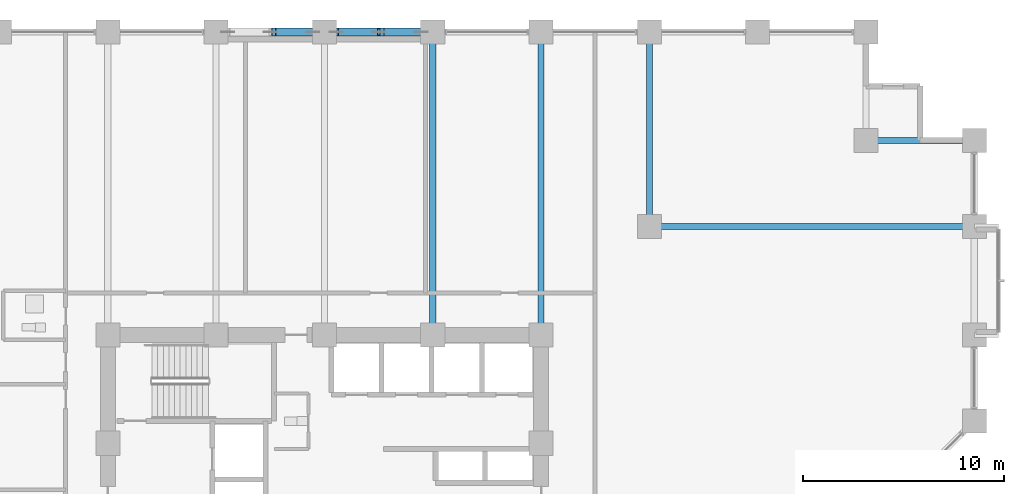
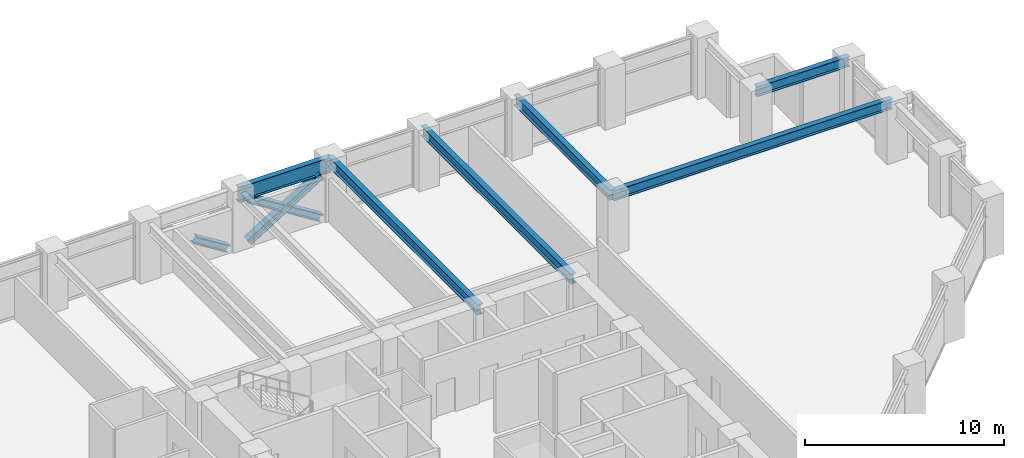
# One storey, part 14 of 27: 6 beams, 4 members.
"""IFC4 building model written with IfcOpenShell, lengths in metres."""

from ifc_helpers import new_model, si_unit, direction, frame, origin, origin_2d, place, context, subcontext, project, spatial, i_section, extrude, material, material_profile, profile_set, type_object, element, save


model = new_model("IFC4")

# Units and contexts
model_context = context("Model", 3, precision=1e-05, world=origin(), true_north=direction((0.0, 1.0)))
body_context = subcontext(model_context, "Body", "Model", "MODEL_VIEW")
ifc_project = project(units=[si_unit("LENGTHUNIT", "METRE"), si_unit("AREAUNIT", "SQUARE_METRE"), si_unit("VOLUMEUNIT", "CUBIC_METRE"), si_unit("PLANEANGLEUNIT", "RADIAN"), si_unit("MASSUNIT", "GRAM", prefix="KILO")], contexts=[model_context])

# Site, building, storey
site_placement = place(None, origin())
site = spatial("IfcSite", under=ifc_project, at=site_placement, CompositionType="ELEMENT")
building_placement = place(site_placement, origin())
building = spatial("IfcBuilding", under=site, at=building_placement, Name="Surkhivell Harbour Commons", CompositionType="ELEMENT")
storey_placement = place(building_placement, frame((0.0, 0.0, 56.25)))
storey = spatial("IfcBuildingStorey", under=building, at=storey_placement, Name="L14", CompositionType="ELEMENT", Elevation=56.25)

# Beams
ifc_material_1 = material(Name="Steel S355", Category="steel")
ifc_material_profile_1 = material_profile(ifc_material_1, i_section(OverallWidth=0.306884765625, OverallDepth=0.6201171875, WebThickness=0.01416015625, FlangeThickness=0.023681640625, at=origin_2d()), Name="UB610x305x179")
ifc_profile_set_1 = profile_set([ifc_material_profile_1], Name="Steel S355")
beam_type_1 = type_object("IfcBeamType", Name="BM-GRD-610A", PredefinedType="BEAM", material=ifc_profile_set_1)
for number, where, z_axis, x_axis, name in (
    (1, (5.39990234375, 10.800048828125, 3.260009765625), (0.0, 1.0, 0.0), (-1.0, 0.0, 0.0), "L14 Floor Girder (5.4,10.8)"),
    (2, (10.800048828125, 10.800048828125, 3.260009765625), (0.0, 1.0, 0.0), (-1.0, 0.0, 0.0), "L14 Floor Girder (10.8,10.8)"),
):
    element("IfcBeam", number, at=place(storey_placement, frame(where, z_axis=z_axis, x_axis=x_axis)), inside=storey, type_object=beam_type_1, Name=name, PredefinedType="BEAM", context=body_context, shape_type="SweptSolid", body=[
        extrude(i_section(OverallWidth=0.306884765625, OverallDepth=0.6201171875, WebThickness=0.01416015625, FlangeThickness=0.023681640625, at=origin_2d()), origin(), (0.0, 0.0, 1.0), 15.099853515625),
    ])
beam_1_placement = place(storey_placement, frame((16.199951171875, 16.199951171875, 3.260009765625), z_axis=(0.0, 1.0, 0.0), x_axis=(-1.0, 0.0, 0.0)))
element("IfcBeam", 3, at=beam_1_placement, inside=storey, type_object=beam_type_1, Name="L14 Floor Girder (16.2,16.2)", PredefinedType="BEAM", context=body_context, shape_type="SweptSolid", body=[
    extrude(i_section(OverallWidth=0.306884765625, OverallDepth=0.6201171875, WebThickness=0.01416015625, FlangeThickness=0.023681640625, at=origin_2d()), origin(), (0.0, 0.0, 1.0), 9.699951171875),
])
beam_2_placement = place(storey_placement, frame((16.199951171875, 16.199951171875, 3.260009765625), z_axis=(1.0, 0.0, 0.0), x_axis=(0.0, 1.0, 0.0)))
element("IfcBeam", 4, at=beam_2_placement, inside=storey, type_object=beam_type_1, Name="L14 Floor Girder (16.2,16.2)", PredefinedType="BEAM", context=body_context, shape_type="SweptSolid", body=[
    extrude(i_section(OverallWidth=0.306884765625, OverallDepth=0.6201171875, WebThickness=0.01416015625, FlangeThickness=0.023681640625, at=origin_2d()), origin(), (0.0, 0.0, 1.0), 16.199951171875),
])
beam_3_placement = place(storey_placement, frame((27.0, 20.5, 3.260009765625), z_axis=(1.0, 0.0, 0.0), x_axis=(0.0, 1.0, 0.0)))
element("IfcBeam", 5, at=beam_3_placement, inside=storey, type_object=beam_type_1, Name="L14 Floor Girder (27.0,20.5)", PredefinedType="BEAM", context=body_context, shape_type="SweptSolid", body=[
    extrude(i_section(OverallWidth=0.306884765625, OverallDepth=0.6201171875, WebThickness=0.01416015625, FlangeThickness=0.023681640625, at=origin_2d()), origin(), (0.0, 0.0, 1.0), 5.39990234375),
])
ifc_material_2 = material(Name="Steel S460", Category="steel")
ifc_material_profile_2 = material_profile(ifc_material_2, i_section(OverallWidth=0.30810546875, OverallDepth=0.927001953125, WebThickness=0.01953125, FlangeThickness=0.031982421875, at=origin_2d()), Name="UB914x305x289")
ifc_profile_set_2 = profile_set([ifc_material_profile_2], Name="Steel S460")
beam_type_2 = type_object("IfcBeamType", Name="BM-SPN-914B", PredefinedType="SPANDREL", material=ifc_profile_set_2)
beam_4_placement = place(storey_placement, frame((0.0, 25.89990234375, 3.1064453125), z_axis=(1.0, 0.0, 0.0), x_axis=(0.0, 1.0, 0.0)))
element("IfcBeam", 6, at=beam_4_placement, inside=storey, type_object=beam_type_2, Name="L14 Tube Spandrel (-0.0,25.9)", PredefinedType="SPANDREL", context=body_context, shape_type="SweptSolid", body=[
    extrude(i_section(OverallWidth=0.30810546875, OverallDepth=0.927001953125, WebThickness=0.01953125, FlangeThickness=0.031982421875, at=origin_2d()), origin(), (0.0, 0.0, 1.0), 5.39990234375),
])

# Members
ifc_material_profile_3 = material_profile(ifc_material_2, i_section(OverallWidth=0.406005859375, OverallDepth=0.416015625, WebThickness=0.026611328125, FlangeThickness=0.0390625, at=origin_2d()), Name="HD400x382")
ifc_profile_set_3 = profile_set([ifc_material_profile_3], Name="Steel S460")
member_type = type_object("IfcMemberType", Name="MEM-BRC-HD382", PredefinedType="BRACE", material=ifc_profile_set_3)
member_1_placement = place(storey_placement, frame((-0.5849609375, 25.89990234375, 0.008056640625), z_axis=(-0.848458555811, 0.0, 0.529261824688), x_axis=(0.0, -1.0, 0.0)))
element("IfcMember", 7, at=member_1_placement, inside=storey, type_object=member_type, Name="L14 Perimeter Mega-Brace MB- 02", PredefinedType="BRACE", context=body_context, shape_type="SweptSolid", body=[
    extrude(i_section(OverallWidth=0.406005859375, OverallDepth=0.416015625, WebThickness=0.026611328125, FlangeThickness=0.0390625, at=origin_2d()), origin(), (0.0, 0.0, 1.0), 2.29296875),
])
member_2_placement = place(storey_placement, frame((0.5849609375, 25.89990234375, 0.008056640625), z_axis=(0.848432685315, 0.0, 0.529303295369), x_axis=(0.0, 1.0, 0.0)))
element("IfcMember", 8, at=member_2_placement, inside=storey, type_object=member_type, Name="L14 Perimeter Mega-Brace MB- 04", PredefinedType="BRACE", context=body_context, shape_type="SweptSolid", body=[
    extrude(i_section(OverallWidth=0.406005859375, OverallDepth=0.416015625, WebThickness=0.026611328125, FlangeThickness=0.0390625, at=origin_2d()), origin(), (0.0, 0.0, 1.0), 4.985595703125),
])
member_3_placement = place(storey_placement, frame((4.81494140625, 25.89990234375, 0.008056640625), z_axis=(-0.848458555811, 0.0, 0.529261824688), x_axis=(0.0, -1.0, 0.0)))
element("IfcMember", 9, at=member_3_placement, inside=storey, type_object=member_type, Name="L14 Perimeter Mega-Brace MB- 05", PredefinedType="BRACE", context=body_context, shape_type="SweptSolid", body=[
    extrude(i_section(OverallWidth=0.406005859375, OverallDepth=0.416015625, WebThickness=0.026611328125, FlangeThickness=0.0390625, at=origin_2d()), origin(), (0.0, 0.0, 1.0), 2.29296875),
])
member_4_placement = place(storey_placement, frame((2.530517578125, 25.89990234375, 1.43310546875), z_axis=(-0.848410744023, 0.0, 0.529338463958), x_axis=(0.0, -1.0, 0.0)))
element("IfcMember", 10, at=member_4_placement, inside=storey, type_object=member_type, Name="L14 Perimeter Mega-Brace MB- 06", PredefinedType="BRACE", context=body_context, shape_type="SweptSolid", body=[
    extrude(i_section(OverallWidth=0.406005859375, OverallDepth=0.416015625, WebThickness=0.026611328125, FlangeThickness=0.0390625, at=origin_2d()), origin(), (0.0, 0.0, 1.0), 2.293212890625),
])

save(model, "model.ifc")
